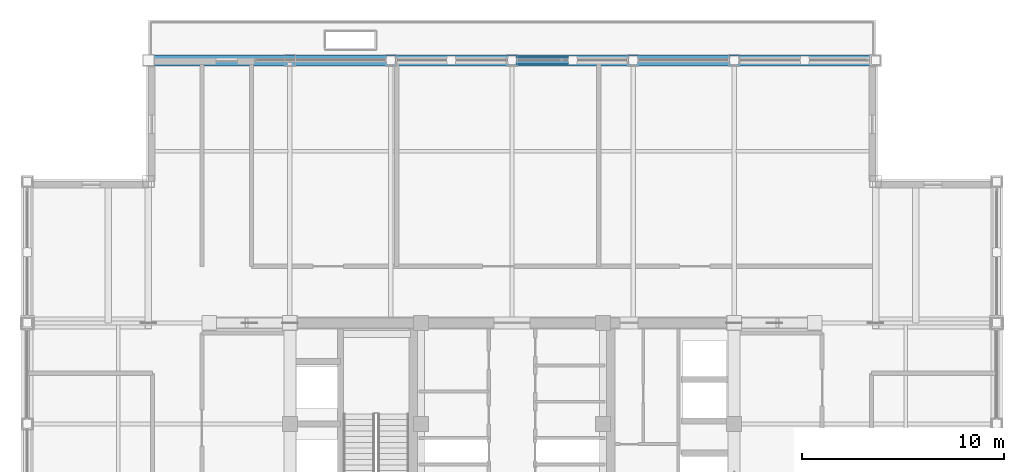
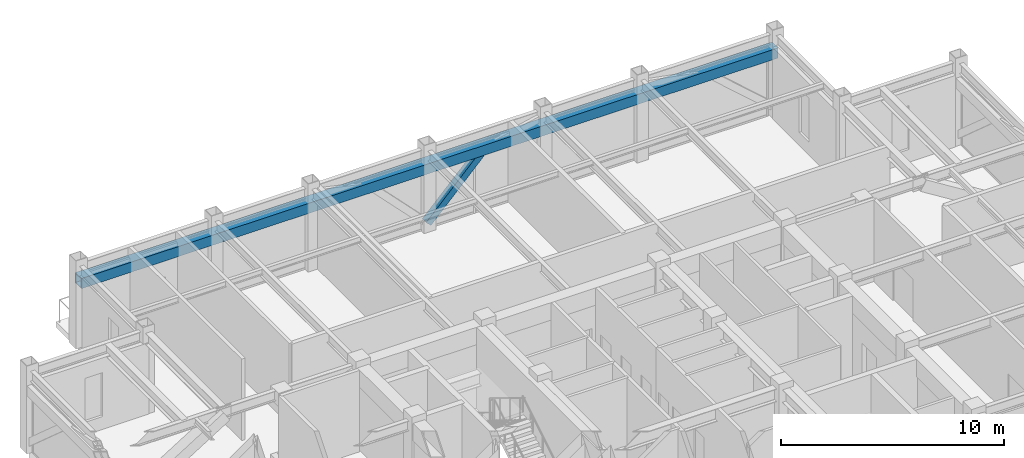
# One storey, part 17 of 32: 2 members.
"""IFC4 building model written with IfcOpenShell, lengths in metres."""

from ifc_helpers import new_model, si_unit, direction, frame, origin, origin_2d, place, context, subcontext, project, spatial, hollow_rectangle, extrude, source, transform, mapped, material, material_profile, profile_set, type_object, element, save


model = new_model("IFC4")

# Units and contexts
model_context = context("Model", 3, precision=1e-05, world=origin(), true_north=direction((0.0, 1.0)))
body_context = subcontext(model_context, "Body", "Model", "MODEL_VIEW")
ifc_project = project(units=[si_unit("LENGTHUNIT", "METRE"), si_unit("AREAUNIT", "SQUARE_METRE"), si_unit("VOLUMEUNIT", "CUBIC_METRE"), si_unit("PLANEANGLEUNIT", "RADIAN"), si_unit("MASSUNIT", "GRAM", prefix="KILO")], contexts=[model_context])

# Site, building, storey
site_placement = place(None, origin())
site = spatial("IfcSite", under=ifc_project, at=site_placement, CompositionType="ELEMENT")
building_placement = place(site_placement, origin())
building = spatial("IfcBuilding", under=site, at=building_placement, Name="Khorayat Bourse Tower", CompositionType="ELEMENT")
storey_placement = place(building_placement, frame((0.0, 0.0, 375.5)))
storey = spatial("IfcBuildingStorey", under=building, at=storey_placement, Name="L89", CompositionType="ELEMENT", Elevation=375.5)

# Members
ifc_material_1 = material(Name="Steel EN 10025-4 S460M", Category="steel")
ifc_material_profile_1 = material_profile(ifc_material_1, hollow_rectangle(XDim=0.550048828125, YDim=0.550048828125, WallThickness=0.031982421875, at=origin_2d()), Name="HSS 550x550x32")
ifc_profile_set_1 = profile_set([ifc_material_profile_1], Name="Steel EN 10025-4 S460M")
member_type_1 = type_object("IfcMemberType", Name="MBR-BELT-550", PredefinedType="CHORD", material=ifc_profile_set_1)
shared_shape_1 = source(origin(), body_context, "Body", "SweptSolid", [
    extrude(hollow_rectangle(XDim=0.550048828125, YDim=0.550048828125, WallThickness=0.031982421875, at=origin_2d()), origin(), (0.0, 0.0, 1.0), 36.0),
])
member_1_placement = place(storey_placement, frame((-18.0, 24.0, 3.449951171875), z_axis=(1.0, 0.0, 0.0), x_axis=(0.0, 1.0, 0.0)))
element("IfcMember", 1, at=member_1_placement, inside=storey, type_object=member_type_1, Name="L89 Belt Truss Mid Chord 02", PredefinedType="CHORD", context=body_context, shape_type="MappedRepresentation", body=[
    mapped(shared_shape_1, transform((0.0, 0.0, 0.0), scale=1.0)),
])
ifc_material_2 = material(Name="Steel EN 10025-2 S355J2", Category="steel")
ifc_material_profile_2 = material_profile(ifc_material_2, hollow_rectangle(XDim=0.35009765625, YDim=0.35009765625, WallThickness=0.02001953125, at=origin_2d()), Name="HSS 350x350x20")
ifc_profile_set_2 = profile_set([ifc_material_profile_2], Name="Steel EN 10025-2 S355J2")
member_type_2 = type_object("IfcMemberType", Name="MBR-CROWN-350", PredefinedType="USERDEFINED", material=ifc_profile_set_2)
shared_shape_2 = source(origin(), body_context, "Body", "SweptSolid", [
    extrude(hollow_rectangle(XDim=0.35009765625, YDim=0.35009765625, WallThickness=0.02001953125, at=origin_2d()), origin(), (0.0, 0.0, 1.0), 4.313720703125),
])
member_2_placement = place(storey_placement, frame((0.0, 24.0, 0.35009765625), z_axis=(0.695438396675, 0.0, 0.718585719612), x_axis=(0.0, 1.0, 0.0)))
element("IfcMember", 2, at=member_2_placement, inside=storey, type_object=member_type_2, Name="L89 Lantern Crown Frame Member 09", ObjectType="CROWN FRAME", PredefinedType="USERDEFINED", context=body_context, shape_type="MappedRepresentation", body=[
    mapped(shared_shape_2, transform((0.0, 0.0, 0.0), scale=1.0)),
])

save(model, "model.ifc")
